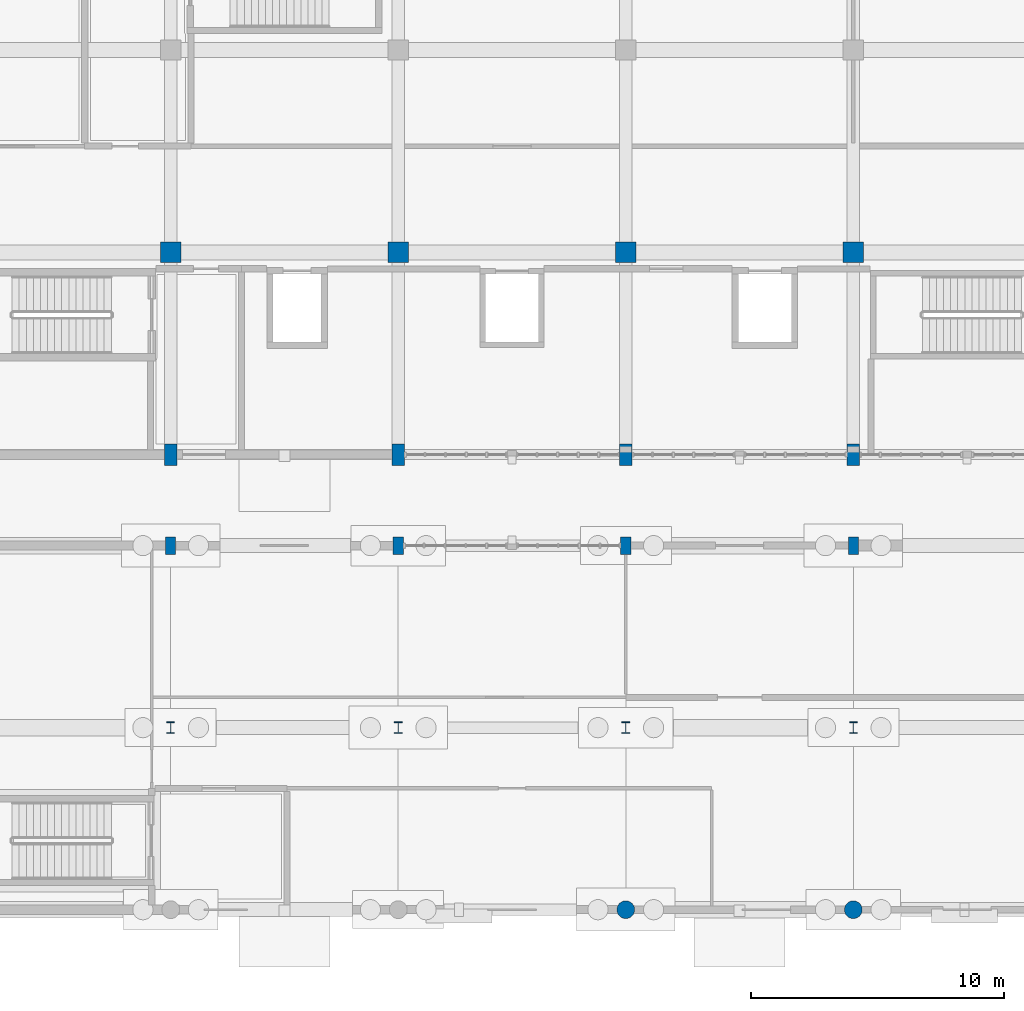
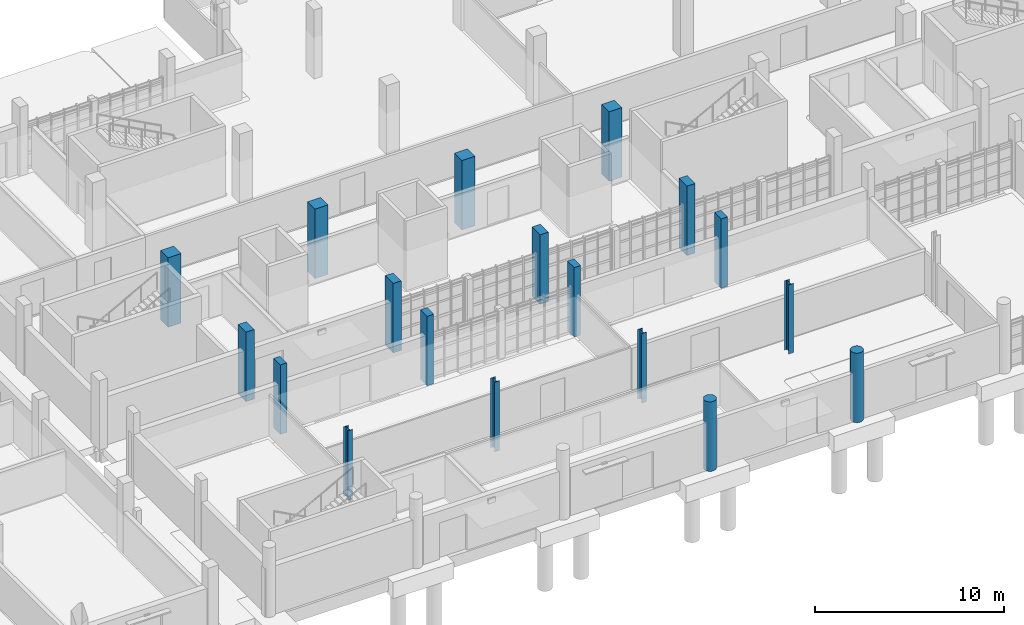
# One storey, part 5 of 63: 18 columns.
"""IFC4 building model written with IfcOpenShell, lengths in metres."""

from ifc_helpers import new_model, si_unit, direction, frame, origin, origin_2d, place, context, subcontext, project, spatial, rectangle, circle, i_section, extrude, material, material_profile, profile_set, type_object, element, save


model = new_model("IFC4")

# Units and contexts
model_context = context("Model", 3, precision=1e-05, world=origin(), true_north=direction((0.0, 1.0)))
body_context = subcontext(model_context, "Body", "Model", "MODEL_VIEW")
ifc_project = project(units=[si_unit("LENGTHUNIT", "METRE"), si_unit("AREAUNIT", "SQUARE_METRE"), si_unit("VOLUMEUNIT", "CUBIC_METRE"), si_unit("PLANEANGLEUNIT", "RADIAN"), si_unit("MASSUNIT", "GRAM", prefix="KILO")], contexts=[model_context])

# Site, building, storey
site_placement = place(None, origin())
site = spatial("IfcSite", under=ifc_project, at=site_placement, CompositionType="ELEMENT")
building_placement = place(site_placement, origin())
building = spatial("IfcBuilding", under=site, at=building_placement, Name="Serraforn Aerial Cableway Station", CompositionType="ELEMENT")
storey_placement = place(building_placement, origin())
storey = spatial("IfcBuildingStorey", under=building, at=storey_placement, Name="L00", CompositionType="ELEMENT", Elevation=0.0)

# Columns
ifc_material_1 = material(Name="Concrete C35/45", Category="concrete")
ifc_material_profile_1 = material_profile(ifc_material_1, rectangle(XDim=0.39990234375, YDim=0.699951171875, at=origin_2d()), Name="RC 400x700")
ifc_profile_set_1 = profile_set([ifc_material_profile_1], Name="Concrete C35/45")
column_type_1 = type_object("IfcColumnType", Name="COL-RC-400x700", PredefinedType="COLUMN", material=ifc_profile_set_1)
for number, where, z_axis, x_axis, name in (
    (1, (36.60009765625, 14.39990234375, 0.0), (0.0, 0.0, 1.0), (1.0, 0.0, 0.0), "Column CF L00 6-B2"),
    (2, (45.60009765625, 14.39990234375, 0.0), (0.0, 0.0, 1.0), (1.0, 0.0, 0.0), "Column CF L00 7-B2"),
    (3, (54.60009765625, 14.39990234375, 0.0), (0.0, 0.0, 1.0), (1.0, 0.0, 0.0), "Column CF L00 8-B2"),
    (4, (63.60009765625, 14.39990234375, 0.0), (0.0, 0.0, 1.0), (1.0, 0.0, 0.0), "Column CF L00 9-B2"),
):
    element("IfcColumn", number, at=place(storey_placement, frame(where, z_axis=z_axis, x_axis=x_axis)), inside=storey, type_object=column_type_1, Name=name, PredefinedType="COLUMN", context=body_context, shape_type="SweptSolid", body=[
        extrude(rectangle(XDim=0.39990234375, YDim=0.699951171875, at=origin_2d()), origin(), (0.0, 0.0, 1.0), 4.5),
    ])
ifc_material_2 = material(Name="Concrete C40/50", Category="concrete")
ifc_material_profile_2 = material_profile(ifc_material_2, rectangle(XDim=0.5, YDim=0.85009765625, at=origin_2d()), Name="RC 500x850")
ifc_profile_set_2 = profile_set([ifc_material_profile_2], Name="Concrete C40/50")
column_type_2 = type_object("IfcColumnType", Name="COL-RC-500x850", PredefinedType="COLUMN", material=ifc_profile_set_2)
for number, where, z_axis, x_axis, name in (
    (5, (36.60009765625, 18.0, 0.0), (0.0, 0.0, 1.0), (1.0, 0.0, 0.0), "Column CV L00 6-C"),
    (6, (45.60009765625, 18.0, 0.0), (0.0, 0.0, 1.0), (1.0, 0.0, 0.0), "Column CV L00 7-C"),
    (7, (54.60009765625, 18.0, 0.0), (0.0, 0.0, 1.0), (1.0, 0.0, 0.0), "Column CV L00 8-C"),
    (8, (63.60009765625, 18.0, 0.0), (0.0, 0.0, 1.0), (1.0, 0.0, 0.0), "Column CV L00 9-C"),
):
    element("IfcColumn", number, at=place(storey_placement, frame(where, z_axis=z_axis, x_axis=x_axis)), inside=storey, type_object=column_type_2, Name=name, PredefinedType="COLUMN", context=body_context, shape_type="SweptSolid", body=[
        extrude(rectangle(XDim=0.5, YDim=0.85009765625, at=origin_2d()), origin(), (0.0, 0.0, 1.0), 4.5),
    ])
ifc_material_profile_3 = material_profile(ifc_material_2, rectangle(XDim=0.800048828125, YDim=0.800048828125, at=origin_2d()), Name="RC 800x800")
ifc_profile_set_3 = profile_set([ifc_material_profile_3], Name="Concrete C40/50")
column_type_3 = type_object("IfcColumnType", Name="COL-RC-800", PredefinedType="COLUMN", material=ifc_profile_set_3)
for number, where, z_axis, x_axis, name in (
    (9, (36.60009765625, 26.0, 0.0), (0.0, 0.0, 1.0), (1.0, 0.0, 0.0), "Column CV L00 6-D1"),
    (10, (45.60009765625, 26.0, 0.0), (0.0, 0.0, 1.0), (1.0, 0.0, 0.0), "Column CV L00 7-D1"),
    (11, (54.60009765625, 26.0, 0.0), (0.0, 0.0, 1.0), (1.0, 0.0, 0.0), "Column CV L00 8-D1"),
    (12, (63.60009765625, 26.0, 0.0), (0.0, 0.0, 1.0), (1.0, 0.0, 0.0), "Column CV L00 9-D1"),
):
    element("IfcColumn", number, at=place(storey_placement, frame(where, z_axis=z_axis, x_axis=x_axis)), inside=storey, type_object=column_type_3, Name=name, PredefinedType="COLUMN", context=body_context, shape_type="SweptSolid", body=[
        extrude(rectangle(XDim=0.800048828125, YDim=0.800048828125, at=origin_2d()), origin(), (0.0, 0.0, 1.0), 4.5),
    ])
ifc_material_profile_4 = material_profile(ifc_material_1, circle(Radius=0.35009765625, at=origin_2d()), Name="RC D700")
ifc_profile_set_4 = profile_set([ifc_material_profile_4], Name="Concrete C35/45")
column_type_4 = type_object("IfcColumnType", Name="COL-RC-D700", PredefinedType="COLUMN", material=ifc_profile_set_4)
for number, where, z_axis, x_axis, name in (
    (13, (54.60009765625, 0.0, 0.0), (0.0, 0.0, 1.0), (1.0, 0.0, 0.0), "Column CF L00 8-A"),
    (14, (63.60009765625, 0.0, 0.0), (0.0, 0.0, 1.0), (1.0, 0.0, 0.0), "Column CF L00 9-A"),
):
    element("IfcColumn", number, at=place(storey_placement, frame(where, z_axis=z_axis, x_axis=x_axis)), inside=storey, type_object=column_type_4, Name=name, PredefinedType="COLUMN", context=body_context, shape_type="SweptSolid", body=[
        extrude(circle(Radius=0.35009765625, at=origin_2d()), origin(), (0.0, 0.0, 1.0), 4.5),
    ])
ifc_material_3 = material(Name="Steel S355J2", Category="steel")
ifc_material_profile_5 = material_profile(ifc_material_3, i_section(OverallWidth=0.300048828125, OverallDepth=0.449951171875, WebThickness=0.011474609375, FlangeThickness=0.02099609375, FilletRadius=0.027099609375, at=origin_2d()), Name="HEA 450")
ifc_profile_set_5 = profile_set([ifc_material_profile_5], Name="Steel S355J2")
column_type_5 = type_object("IfcColumnType", Name="COL-ST-HEA450", PredefinedType="COLUMN", material=ifc_profile_set_5)
for number, where, z_axis, x_axis, name in (
    (15, (36.60009765625, 7.199951171875, 0.0), (0.0, 0.0, 1.0), (1.0, 0.0, 0.0), "Column CF L00 6-B1"),
    (16, (45.60009765625, 7.199951171875, 0.0), (0.0, 0.0, 1.0), (1.0, 0.0, 0.0), "Column CF L00 7-B1"),
    (17, (54.60009765625, 7.199951171875, 0.0), (0.0, 0.0, 1.0), (1.0, 0.0, 0.0), "Column CF L00 8-B1"),
    (18, (63.60009765625, 7.199951171875, 0.0), (0.0, 0.0, 1.0), (1.0, 0.0, 0.0), "Column CF L00 9-B1"),
):
    element("IfcColumn", number, at=place(storey_placement, frame(where, z_axis=z_axis, x_axis=x_axis)), inside=storey, type_object=column_type_5, Name=name, PredefinedType="COLUMN", context=body_context, shape_type="SweptSolid", body=[
        extrude(i_section(OverallWidth=0.300048828125, OverallDepth=0.449951171875, WebThickness=0.011474609375, FlangeThickness=0.02099609375, FilletRadius=0.027099609375, at=origin_2d()), origin(), (0.0, 0.0, 1.0), 4.5),
    ])

save(model, "model.ifc")
